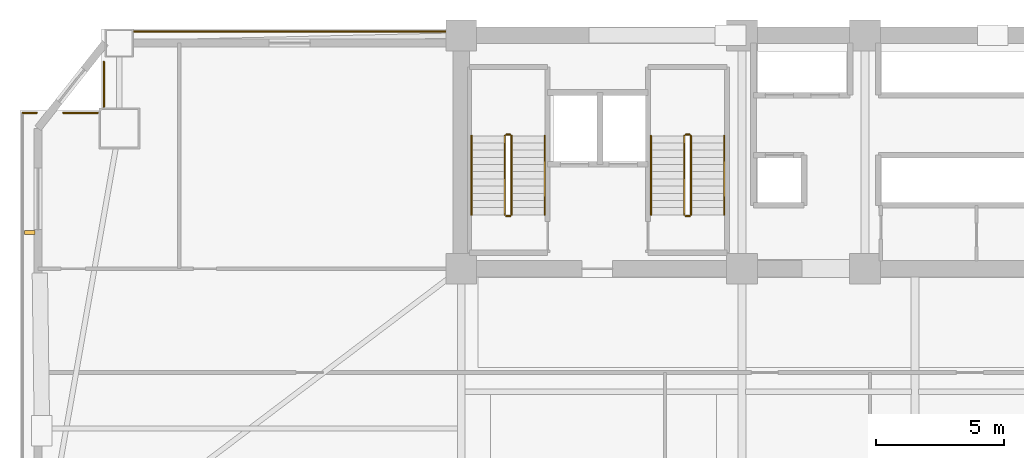
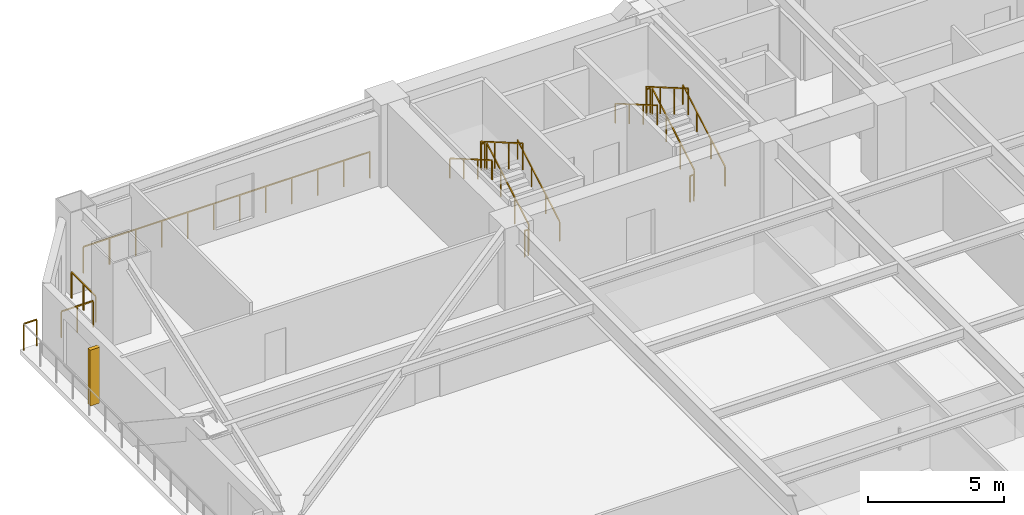
# One storey, part 15 of 17: 16 railings, 1 shading device.
"""IFC4 building model written with IfcOpenShell, lengths in metres."""

from ifc_helpers import new_model, si_unit, direction, frame, origin, origin_2d, place, context, subcontext, project, spatial, rectangle, extrude, source, transform, mapped, material, type_object, element, save


model = new_model("IFC4")

# Units and contexts
model_context = context("Model", 3, precision=1e-05, world=origin(), true_north=direction((0.0, 1.0)))
body_context = subcontext(model_context, "Body", "Model", "MODEL_VIEW")
ifc_project = project(units=[si_unit("LENGTHUNIT", "METRE"), si_unit("AREAUNIT", "SQUARE_METRE"), si_unit("VOLUMEUNIT", "CUBIC_METRE"), si_unit("PLANEANGLEUNIT", "RADIAN"), si_unit("MASSUNIT", "GRAM", prefix="KILO")], contexts=[model_context])

# Site, building, storey
site_placement = place(None, origin())
site = spatial("IfcSite", under=ifc_project, at=site_placement, CompositionType="ELEMENT")
building_placement = place(site_placement, origin())
building = spatial("IfcBuilding", under=site, at=building_placement, Name="Giltprow Tower", CompositionType="ELEMENT")
storey_placement = place(building_placement, frame((0.0, 0.0, 41.0)))
storey = spatial("IfcBuildingStorey", under=building, at=storey_placement, Name="L10", CompositionType="ELEMENT", Elevation=41.0)

# Railings
ifc_material = material(Name="Anodized bronze", Category="metal")
railing_type_1 = type_object("IfcRailingType", Name="RAIL-BALC-GUARD-1200", PredefinedType="BALUSTRADE", material=ifc_material)
railing_1_placement = place(storey_placement, frame((2.735107421875, 43.52587890625, 0.0)))
element("IfcRailing", 1, at=railing_1_placement, inside=storey, type_object=railing_type_1, Name="L10 Corner Apron Edge Balustrade 6", PredefinedType="BALUSTRADE", context=body_context, shape_type="SweptSolid", body=[
    extrude(rectangle(XDim=0.048095703125, YDim=0.048095703125, at=origin_2d()), frame((0.0, 0.0, 1.17578125), z_axis=(1.0, 0.0, 0.0), x_axis=(0.0, 1.0, 0.0)), (0.0, 0.0, 1.0), 0.55078125),
    extrude(rectangle(XDim=0.0419921875, YDim=0.0419921875, at=origin_2d()), origin(), (0.0, 0.0, 1.0), 1.15185546875),
    extrude(rectangle(XDim=0.0419921875, YDim=0.0419921875, at=origin_2d()), frame((0.55078125, 0.0, 0.0)), (0.0, 0.0, 1.0), 1.15185546875),
])
railing_2_placement = place(storey_placement, frame((4.3310546875, 43.52587890625, 0.0)))
element("IfcRailing", 2, at=railing_2_placement, inside=storey, type_object=railing_type_1, Name="L10 Corner Apron Edge Balustrade 7", PredefinedType="BALUSTRADE", context=body_context, shape_type="SweptSolid", body=[
    extrude(rectangle(XDim=0.048095703125, YDim=0.048095703125, at=origin_2d()), frame((0.0, 0.0, 1.17578125), z_axis=(1.0, 0.0, 0.0), x_axis=(0.0, 1.0, 0.0)), (0.0, 0.0, 1.0), 1.343017578125),
    extrude(rectangle(XDim=0.0419921875, YDim=0.0419921875, at=origin_2d()), origin(), (0.0, 0.0, 1.0), 1.15185546875),
    extrude(rectangle(XDim=0.0419921875, YDim=0.0419921875, at=origin_2d()), frame((0.67138671875, 0.0, 0.0)), (0.0, 0.0, 1.0), 1.15185546875),
    extrude(rectangle(XDim=0.0419921875, YDim=0.0419921875, at=origin_2d()), frame((1.343017578125, 0.0, 0.0)), (0.0, 0.0, 1.0), 1.15185546875),
])
railing_3_placement = place(storey_placement, frame((5.908935546875, 43.760986328125, 0.0)))
element("IfcRailing", 3, at=railing_3_placement, inside=storey, type_object=railing_type_1, Name="L10 Corner Apron Edge Balustrade 8", PredefinedType="BALUSTRADE", context=body_context, shape_type="SweptSolid", body=[
    extrude(rectangle(XDim=0.048095703125, YDim=0.048095703125, at=origin_2d()), frame((0.0, 0.0, 1.17578125), z_axis=(0.0, 1.0, 0.0), x_axis=(-1.0, 0.0, 0.0)), (0.0, 0.0, 1.0), 1.763916015625),
    extrude(rectangle(XDim=0.0419921875, YDim=0.0419921875, at=origin_2d()), origin(), (0.0, 0.0, 1.0), 1.15185546875),
    extrude(rectangle(XDim=0.0419921875, YDim=0.0419921875, at=origin_2d()), frame((0.0, 0.8818359375, 0.0)), (0.0, 0.0, 1.0), 1.15185546875),
    extrude(rectangle(XDim=0.0419921875, YDim=0.0419921875, at=origin_2d()), frame((0.0, 1.763916015625, 0.0)), (0.0, 0.0, 1.0), 1.15185546875),
])
railing_4_placement = place(storey_placement, frame((7.093994140625, 46.699951171875, 0.0)))
element("IfcRailing", 4, at=railing_4_placement, inside=storey, type_object=railing_type_1, Name="L10 Corner Apron Edge Balustrade 9", PredefinedType="BALUSTRADE", context=body_context, shape_type="SweptSolid", body=[
    extrude(rectangle(XDim=0.048095703125, YDim=0.048095703125, at=origin_2d()), frame((0.0, 0.0, 1.17578125), z_axis=(1.0, 0.0, 0.0), x_axis=(0.0, 1.0, 0.0)), (0.0, 0.0, 1.0), 12.12109375),
    extrude(rectangle(XDim=0.0419921875, YDim=0.0419921875, at=origin_2d()), origin(), (0.0, 0.0, 1.0), 1.15185546875),
    extrude(rectangle(XDim=0.0419921875, YDim=0.0419921875, at=origin_2d()), frame((1.101806640625, 0.0, 0.0)), (0.0, 0.0, 1.0), 1.15185546875),
    extrude(rectangle(XDim=0.0419921875, YDim=0.0419921875, at=origin_2d()), frame((2.203857421875, 0.0, 0.0)), (0.0, 0.0, 1.0), 1.15185546875),
    extrude(rectangle(XDim=0.0419921875, YDim=0.0419921875, at=origin_2d()), frame((3.3056640625, 0.0, 0.0)), (0.0, 0.0, 1.0), 1.15185546875),
    extrude(rectangle(XDim=0.0419921875, YDim=0.0419921875, at=origin_2d()), frame((4.40771484375, 0.0, 0.0)), (0.0, 0.0, 1.0), 1.15185546875),
    extrude(rectangle(XDim=0.0419921875, YDim=0.0419921875, at=origin_2d()), frame((5.509521484375, 0.0, 0.0)), (0.0, 0.0, 1.0), 1.15185546875),
    extrude(rectangle(XDim=0.0419921875, YDim=0.0419921875, at=origin_2d()), frame((6.611572265625, 0.0, 0.0)), (0.0, 0.0, 1.0), 1.15185546875),
    extrude(rectangle(XDim=0.0419921875, YDim=0.0419921875, at=origin_2d()), frame((7.71337890625, 0.0, 0.0)), (0.0, 0.0, 1.0), 1.15185546875),
    extrude(rectangle(XDim=0.0419921875, YDim=0.0419921875, at=origin_2d()), frame((8.8154296875, 0.0, 0.0)), (0.0, 0.0, 1.0), 1.15185546875),
    extrude(rectangle(XDim=0.0419921875, YDim=0.0419921875, at=origin_2d()), frame((9.917236328125, 0.0, 0.0)), (0.0, 0.0, 1.0), 1.15185546875),
    extrude(rectangle(XDim=0.0419921875, YDim=0.0419921875, at=origin_2d()), frame((11.019287109375, 0.0, 0.0)), (0.0, 0.0, 1.0), 1.15185546875),
    extrude(rectangle(XDim=0.0419921875, YDim=0.0419921875, at=origin_2d()), frame((12.12109375, 0.0, 0.0)), (0.0, 0.0, 1.0), 1.15185546875),
])
railing_type_2 = type_object("IfcRailingType", Name="RAIL-STAIR-GUARD-1200", PredefinedType="GUARDRAIL", material=ifc_material)
railing_5_placement = place(storey_placement, frame((21.81005859375, 39.550048828125, 0.16259765625)))
element("IfcRailing", 5, at=railing_5_placement, inside=storey, type_object=railing_type_2, Name="L10 ST-1 stair guard 1", PredefinedType="GUARDRAIL", context=body_context, shape_type="SweptSolid", body=[
    extrude(rectangle(XDim=0.048095703125, YDim=0.048095703125, at=origin_2d()), frame((0.0, 0.0, 1.17578125), z_axis=(0.0, 0.864903211148, 0.501938676878), x_axis=(-1.0, 0.0, 0.0)), (0.0, 0.0, 1.0), 3.560791015625),
    extrude(rectangle(XDim=0.0419921875, YDim=0.0419921875, at=origin_2d()), origin(), (0.0, 0.0, 1.0), 1.15185546875),
    extrude(rectangle(XDim=0.0419921875, YDim=0.0419921875, at=origin_2d()), frame((0.0, 1.026611328125, 0.595703125)), (0.0, 0.0, 1.0), 1.15185546875),
    extrude(rectangle(XDim=0.0419921875, YDim=0.0419921875, at=origin_2d()), frame((0.0, 2.05322265625, 1.191650390625)), (0.0, 0.0, 1.0), 1.15185546875),
    extrude(rectangle(XDim=0.0419921875, YDim=0.0419921875, at=origin_2d()), frame((0.0, 3.079833984375, 1.787353515625)), (0.0, 0.0, 1.0), 1.15185546875),
])
railing_6_placement = place(storey_placement, frame((21.760009765625, 42.679931640625, 1.949951171875)))
element("IfcRailing", 6, at=railing_6_placement, inside=storey, type_object=railing_type_2, Name="L10 ST-1 stair guard 2", PredefinedType="GUARDRAIL", context=body_context, shape_type="SweptSolid", body=[
    extrude(rectangle(XDim=0.048095703125, YDim=0.048095703125, at=origin_2d()), frame((0.0, 0.0, 1.17578125), z_axis=(-1.0, 0.0, 0.0), x_axis=(0.0, -1.0, 0.0)), (0.0, 0.0, 1.0), 0.159912109375),
    extrude(rectangle(XDim=0.0419921875, YDim=0.0419921875, at=origin_2d()), origin(), (0.0, 0.0, 1.0), 1.15185546875),
    extrude(rectangle(XDim=0.0419921875, YDim=0.0419921875, at=origin_2d()), frame((-0.159912109375, 0.0, 0.0)), (0.0, 0.0, 1.0), 1.15185546875),
])
railing_7_placement = place(storey_placement, frame((21.550048828125, 42.6298828125, 2.112548828125)))
element("IfcRailing", 7, at=railing_7_placement, inside=storey, type_object=railing_type_2, Name="L10 ST-1 stair guard 3", PredefinedType="GUARDRAIL", context=body_context, shape_type="SweptSolid", body=[
    extrude(rectangle(XDim=0.048095703125, YDim=0.048095703125, at=origin_2d()), frame((0.0, 0.0, 1.17578125), z_axis=(0.0, -0.864903211148, 0.501938676878), x_axis=(1.0, 0.0, 0.0)), (0.0, 0.0, 1.0), 3.560791015625),
    extrude(rectangle(XDim=0.0419921875, YDim=0.0419921875, at=origin_2d()), origin(), (0.0, 0.0, 1.0), 1.15185546875),
    extrude(rectangle(XDim=0.0419921875, YDim=0.0419921875, at=origin_2d()), frame((0.0, -1.026611328125, 0.595703125)), (0.0, 0.0, 1.0), 1.15185546875),
    extrude(rectangle(XDim=0.0419921875, YDim=0.0419921875, at=origin_2d()), frame((0.0, -2.05322265625, 1.191650390625)), (0.0, 0.0, 1.0), 1.15185546875),
    extrude(rectangle(XDim=0.0419921875, YDim=0.0419921875, at=origin_2d()), frame((0.0, -3.079833984375, 1.787353515625)), (0.0, 0.0, 1.0), 1.15185546875),
])
railing_8_placement = place(storey_placement, frame((21.760009765625, 39.5, 0.0)))
element("IfcRailing", 8, at=railing_8_placement, inside=storey, type_object=railing_type_2, Name="L10 ST-1 stair guard 4", PredefinedType="GUARDRAIL", context=body_context, shape_type="SweptSolid", body=[
    extrude(rectangle(XDim=0.048095703125, YDim=0.048095703125, at=origin_2d()), frame((0.0, 0.0, 1.17578125), z_axis=(-1.0, 0.0, 0.0), x_axis=(0.0, -1.0, 0.0)), (0.0, 0.0, 1.0), 0.159912109375),
    extrude(rectangle(XDim=0.0419921875, YDim=0.0419921875, at=origin_2d()), origin(), (0.0, 0.0, 1.0), 1.15185546875),
    extrude(rectangle(XDim=0.0419921875, YDim=0.0419921875, at=origin_2d()), frame((-0.159912109375, 0.0, 0.0)), (0.0, 0.0, 1.0), 1.15185546875),
])
railing_9_placement = place(storey_placement, frame((28.81005859375, 39.550048828125, 0.16259765625)))
element("IfcRailing", 9, at=railing_9_placement, inside=storey, type_object=railing_type_2, Name="L10 ST-2 stair guard 1", PredefinedType="GUARDRAIL", context=body_context, shape_type="SweptSolid", body=[
    extrude(rectangle(XDim=0.048095703125, YDim=0.048095703125, at=origin_2d()), frame((0.0, 0.0, 1.17578125), z_axis=(0.0, 0.864903211148, 0.501938676878), x_axis=(-1.0, 0.0, 0.0)), (0.0, 0.0, 1.0), 3.560791015625),
    extrude(rectangle(XDim=0.0419921875, YDim=0.0419921875, at=origin_2d()), origin(), (0.0, 0.0, 1.0), 1.15185546875),
    extrude(rectangle(XDim=0.0419921875, YDim=0.0419921875, at=origin_2d()), frame((0.0, 1.026611328125, 0.595703125)), (0.0, 0.0, 1.0), 1.15185546875),
    extrude(rectangle(XDim=0.0419921875, YDim=0.0419921875, at=origin_2d()), frame((0.0, 2.05322265625, 1.191650390625)), (0.0, 0.0, 1.0), 1.15185546875),
    extrude(rectangle(XDim=0.0419921875, YDim=0.0419921875, at=origin_2d()), frame((0.0, 3.079833984375, 1.787353515625)), (0.0, 0.0, 1.0), 1.15185546875),
])
railing_10_placement = place(storey_placement, frame((28.760009765625, 42.679931640625, 1.949951171875)))
element("IfcRailing", 10, at=railing_10_placement, inside=storey, type_object=railing_type_2, Name="L10 ST-2 stair guard 2", PredefinedType="GUARDRAIL", context=body_context, shape_type="SweptSolid", body=[
    extrude(rectangle(XDim=0.048095703125, YDim=0.048095703125, at=origin_2d()), frame((0.0, 0.0, 1.17578125), z_axis=(-1.0, 0.0, 0.0), x_axis=(0.0, -1.0, 0.0)), (0.0, 0.0, 1.0), 0.159912109375),
    extrude(rectangle(XDim=0.0419921875, YDim=0.0419921875, at=origin_2d()), origin(), (0.0, 0.0, 1.0), 1.15185546875),
    extrude(rectangle(XDim=0.0419921875, YDim=0.0419921875, at=origin_2d()), frame((-0.159912109375, 0.0, 0.0)), (0.0, 0.0, 1.0), 1.15185546875),
])
railing_11_placement = place(storey_placement, frame((28.550048828125, 42.6298828125, 2.112548828125)))
element("IfcRailing", 11, at=railing_11_placement, inside=storey, type_object=railing_type_2, Name="L10 ST-2 stair guard 3", PredefinedType="GUARDRAIL", context=body_context, shape_type="SweptSolid", body=[
    extrude(rectangle(XDim=0.048095703125, YDim=0.048095703125, at=origin_2d()), frame((0.0, 0.0, 1.17578125), z_axis=(0.0, -0.864903211148, 0.501938676878), x_axis=(1.0, 0.0, 0.0)), (0.0, 0.0, 1.0), 3.560791015625),
    extrude(rectangle(XDim=0.0419921875, YDim=0.0419921875, at=origin_2d()), origin(), (0.0, 0.0, 1.0), 1.15185546875),
    extrude(rectangle(XDim=0.0419921875, YDim=0.0419921875, at=origin_2d()), frame((0.0, -1.026611328125, 0.595703125)), (0.0, 0.0, 1.0), 1.15185546875),
    extrude(rectangle(XDim=0.0419921875, YDim=0.0419921875, at=origin_2d()), frame((0.0, -2.05322265625, 1.191650390625)), (0.0, 0.0, 1.0), 1.15185546875),
    extrude(rectangle(XDim=0.0419921875, YDim=0.0419921875, at=origin_2d()), frame((0.0, -3.079833984375, 1.787353515625)), (0.0, 0.0, 1.0), 1.15185546875),
])
railing_12_placement = place(storey_placement, frame((28.760009765625, 39.5, 0.0)))
element("IfcRailing", 12, at=railing_12_placement, inside=storey, type_object=railing_type_2, Name="L10 ST-2 stair guard 4", PredefinedType="GUARDRAIL", context=body_context, shape_type="SweptSolid", body=[
    extrude(rectangle(XDim=0.048095703125, YDim=0.048095703125, at=origin_2d()), frame((0.0, 0.0, 1.17578125), z_axis=(-1.0, 0.0, 0.0), x_axis=(0.0, -1.0, 0.0)), (0.0, 0.0, 1.0), 0.159912109375),
    extrude(rectangle(XDim=0.0419921875, YDim=0.0419921875, at=origin_2d()), origin(), (0.0, 0.0, 1.0), 1.15185546875),
    extrude(rectangle(XDim=0.0419921875, YDim=0.0419921875, at=origin_2d()), frame((-0.159912109375, 0.0, 0.0)), (0.0, 0.0, 1.0), 1.15185546875),
])
railing_type_3 = type_object("IfcRailingType", Name="RAIL-STAIR-HAND-900", PredefinedType="HANDRAIL", material=ifc_material)
railing_13_placement = place(storey_placement, frame((23.110107421875, 39.550048828125, 0.16259765625)))
element("IfcRailing", 13, at=railing_13_placement, inside=storey, type_object=railing_type_3, Name="L10 ST-1 stair handrail 1", PredefinedType="HANDRAIL", context=body_context, shape_type="SweptSolid", body=[
    extrude(rectangle(XDim=0.048095703125, YDim=0.048095703125, at=origin_2d()), frame((0.0, 0.0, 0.8759765625), z_axis=(0.0, 0.864903211148, 0.501938676878), x_axis=(-1.0, 0.0, 0.0)), (0.0, 0.0, 1.0), 3.560791015625),
    extrude(rectangle(XDim=0.0419921875, YDim=0.0419921875, at=origin_2d()), origin(), (0.0, 0.0, 1.0), 0.851806640625),
    extrude(rectangle(XDim=0.0419921875, YDim=0.0419921875, at=origin_2d()), frame((0.0, 1.026611328125, 0.595703125)), (0.0, 0.0, 1.0), 0.851806640625),
    extrude(rectangle(XDim=0.0419921875, YDim=0.0419921875, at=origin_2d()), frame((0.0, 2.05322265625, 1.191650390625)), (0.0, 0.0, 1.0), 0.851806640625),
    extrude(rectangle(XDim=0.0419921875, YDim=0.0419921875, at=origin_2d()), frame((0.0, 3.079833984375, 1.787353515625)), (0.0, 0.0, 1.0), 0.851806640625),
])
railing_14_placement = place(storey_placement, frame((20.25, 42.6298828125, 2.112548828125)))
element("IfcRailing", 14, at=railing_14_placement, inside=storey, type_object=railing_type_3, Name="L10 ST-1 stair handrail 2", PredefinedType="HANDRAIL", context=body_context, shape_type="SweptSolid", body=[
    extrude(rectangle(XDim=0.048095703125, YDim=0.048095703125, at=origin_2d()), frame((0.0, 0.0, 0.8759765625), z_axis=(0.0, -0.864903211148, 0.501938676878), x_axis=(1.0, 0.0, 0.0)), (0.0, 0.0, 1.0), 3.560791015625),
    extrude(rectangle(XDim=0.0419921875, YDim=0.0419921875, at=origin_2d()), origin(), (0.0, 0.0, 1.0), 0.851806640625),
    extrude(rectangle(XDim=0.0419921875, YDim=0.0419921875, at=origin_2d()), frame((0.0, -1.026611328125, 0.595703125)), (0.0, 0.0, 1.0), 0.851806640625),
    extrude(rectangle(XDim=0.0419921875, YDim=0.0419921875, at=origin_2d()), frame((0.0, -2.05322265625, 1.191650390625)), (0.0, 0.0, 1.0), 0.851806640625),
    extrude(rectangle(XDim=0.0419921875, YDim=0.0419921875, at=origin_2d()), frame((0.0, -3.079833984375, 1.787353515625)), (0.0, 0.0, 1.0), 0.851806640625),
])
railing_15_placement = place(storey_placement, frame((30.110107421875, 39.550048828125, 0.16259765625)))
element("IfcRailing", 15, at=railing_15_placement, inside=storey, type_object=railing_type_3, Name="L10 ST-2 stair handrail 1", PredefinedType="HANDRAIL", context=body_context, shape_type="SweptSolid", body=[
    extrude(rectangle(XDim=0.048095703125, YDim=0.048095703125, at=origin_2d()), frame((0.0, 0.0, 0.8759765625), z_axis=(0.0, 0.864903211148, 0.501938676878), x_axis=(-1.0, 0.0, 0.0)), (0.0, 0.0, 1.0), 3.560791015625),
    extrude(rectangle(XDim=0.0419921875, YDim=0.0419921875, at=origin_2d()), origin(), (0.0, 0.0, 1.0), 0.851806640625),
    extrude(rectangle(XDim=0.0419921875, YDim=0.0419921875, at=origin_2d()), frame((0.0, 1.026611328125, 0.595703125)), (0.0, 0.0, 1.0), 0.851806640625),
    extrude(rectangle(XDim=0.0419921875, YDim=0.0419921875, at=origin_2d()), frame((0.0, 2.05322265625, 1.191650390625)), (0.0, 0.0, 1.0), 0.851806640625),
    extrude(rectangle(XDim=0.0419921875, YDim=0.0419921875, at=origin_2d()), frame((0.0, 3.079833984375, 1.787353515625)), (0.0, 0.0, 1.0), 0.851806640625),
])
railing_16_placement = place(storey_placement, frame((27.25, 42.6298828125, 2.112548828125)))
element("IfcRailing", 16, at=railing_16_placement, inside=storey, type_object=railing_type_3, Name="L10 ST-2 stair handrail 2", PredefinedType="HANDRAIL", context=body_context, shape_type="SweptSolid", body=[
    extrude(rectangle(XDim=0.048095703125, YDim=0.048095703125, at=origin_2d()), frame((0.0, 0.0, 0.8759765625), z_axis=(0.0, -0.864903211148, 0.501938676878), x_axis=(1.0, 0.0, 0.0)), (0.0, 0.0, 1.0), 3.560791015625),
    extrude(rectangle(XDim=0.0419921875, YDim=0.0419921875, at=origin_2d()), origin(), (0.0, 0.0, 1.0), 0.851806640625),
    extrude(rectangle(XDim=0.0419921875, YDim=0.0419921875, at=origin_2d()), frame((0.0, -1.026611328125, 0.595703125)), (0.0, 0.0, 1.0), 0.851806640625),
    extrude(rectangle(XDim=0.0419921875, YDim=0.0419921875, at=origin_2d()), frame((0.0, -2.05322265625, 1.191650390625)), (0.0, 0.0, 1.0), 0.851806640625),
    extrude(rectangle(XDim=0.0419921875, YDim=0.0419921875, at=origin_2d()), frame((0.0, -3.079833984375, 1.787353515625)), (0.0, 0.0, 1.0), 0.851806640625),
])

# Shading device
shading_device_type = type_object("IfcShadingDeviceType", Name="SHD-FIN-420", PredefinedType="USERDEFINED", material=ifc_material)
shared_shape = source(origin(), body_context, "Body", "SweptSolid", [
    extrude(rectangle(XDim=0.419921875, YDim=0.159912109375, at=origin_2d()), origin(), (0.0, 0.0, 1.0), 2.5),
])
shading_device_placement = place(storey_placement, frame((3.014892578125, 38.85595703125, 0.35009765625), z_axis=(0.0, 0.0, 1.0), x_axis=(1.0, 0.0, 0.0)))
element("IfcShadingDevice", 17, at=shading_device_placement, inside=storey, type_object=shading_device_type, Name="L10 W Bronze Vertical Fin 2-2", ObjectType="FIN", PredefinedType="USERDEFINED", context=body_context, shape_type="MappedRepresentation", body=[
    mapped(shared_shape, transform((0.0, 0.0, 0.0), x_axis=(1.0, 0.0, 0.0), y_axis=(0.0, 1.0, 0.0), z_axis=(0.0, 0.0, 1.0), scale=1.0)),
])

save(model, "model.ifc")
